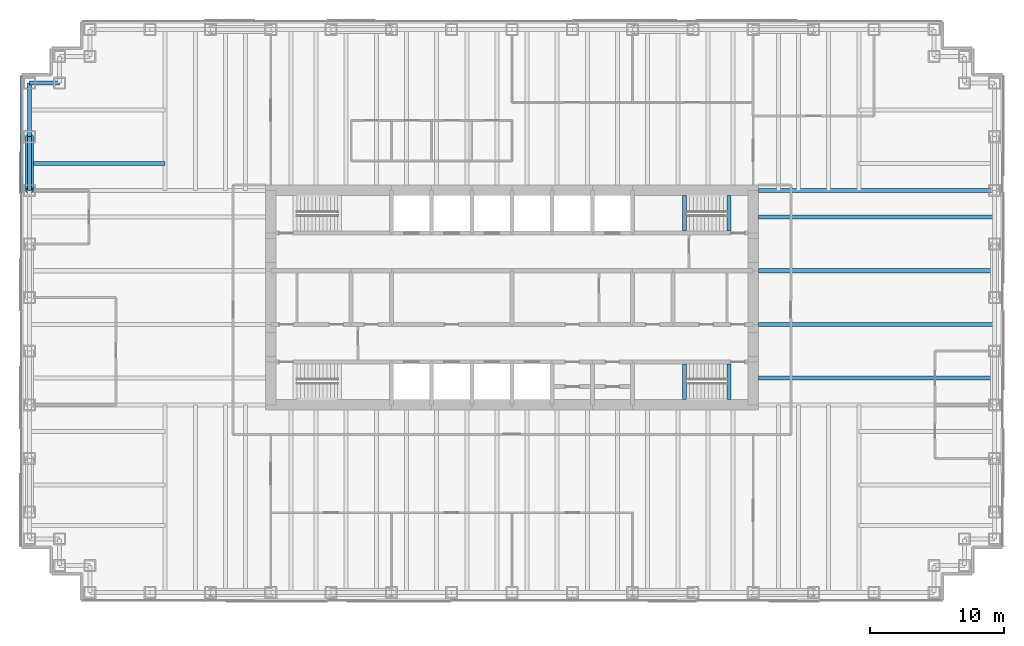
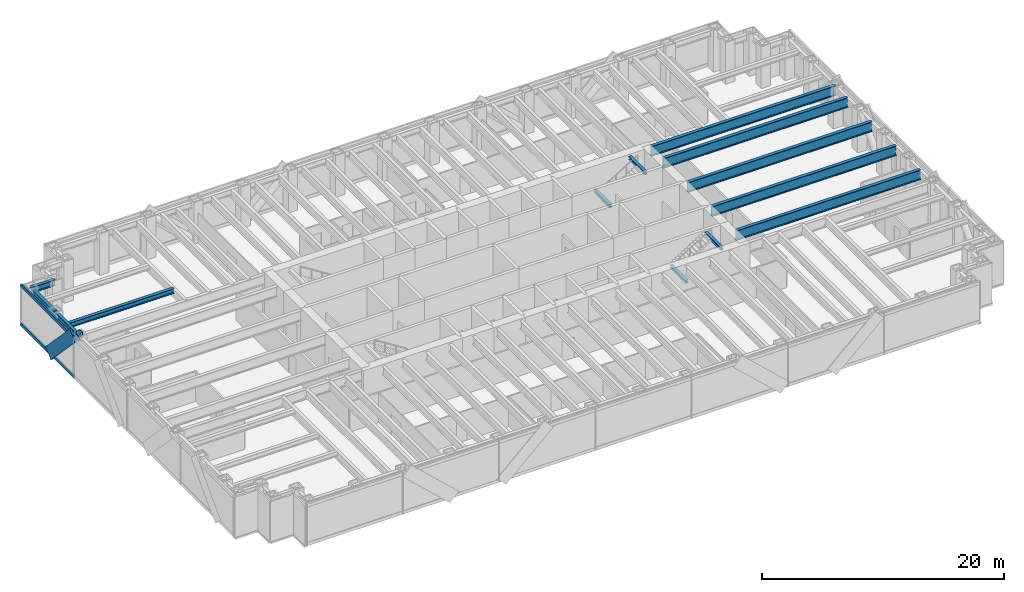
# One storey, part 4 of 14: 13 beams, 4 members, 1 element without a shape of its own.
"""IFC4 building model written with IfcOpenShell, lengths in metres."""

from ifc_helpers import new_model, si_unit, direction, frame, origin, origin_2d, place, context, subcontext, project, spatial, rectangle, hollow_circle, i_section, extrude, material, material_profile, profile_set, type_object, element, aggregate, save


model = new_model("IFC4")

# Units and contexts
model_context = context("Model", 3, precision=1e-05, world=origin(), true_north=direction((0.0, 1.0)))
body_context = subcontext(model_context, "Body", "Model", "MODEL_VIEW")
ifc_project = project(units=[si_unit("LENGTHUNIT", "METRE"), si_unit("AREAUNIT", "SQUARE_METRE"), si_unit("VOLUMEUNIT", "CUBIC_METRE"), si_unit("PLANEANGLEUNIT", "RADIAN"), si_unit("MASSUNIT", "GRAM", prefix="KILO")], contexts=[model_context])

# Site, building, storey
site_placement = place(None, origin())
site = spatial("IfcSite", under=ifc_project, at=site_placement, CompositionType="ELEMENT")
building_placement = place(site_placement, origin())
building = spatial("IfcBuilding", under=site, at=building_placement, Name="Rheinbord Bourse Tower", CompositionType="ELEMENT")
storey_placement = place(building_placement, frame((0.0, 0.0, 202.60009765625)))
storey = spatial("IfcBuildingStorey", under=building, at=storey_placement, Name="L45", CompositionType="ELEMENT", Elevation=202.60009765625)

# Curtain wall, members
ifc_material_1 = material(Name="Dark glass and black aluminium", Category="aluminium")
curtain_wall_type = type_object("IfcCurtainWallType", Name="CW2 DARK GLASS CURTAIN WALL", PredefinedType="USERDEFINED", material=ifc_material_1)
curtain_wall_placement = place(storey_placement, origin())
curtain_wall = element("IfcCurtainWall", 1, at=curtain_wall_placement, inside=storey, type_object=curtain_wall_type, Name="Curtain wall CW2 W L45", ObjectType="UNITISED CURTAIN WALL", PredefinedType="USERDEFINED")
ifc_material_2 = material(Name="Black anodised aluminium", Category="aluminium")
ifc_material_profile_1 = material_profile(ifc_material_2, rectangle(XDim=0.159912109375, YDim=1.2099609375, at=origin_2d()), Name="CW2 DIAGONAL MULLION 1210x160")
ifc_profile_set_1 = profile_set([ifc_material_profile_1], Name="Black anodised aluminium")
member_type_1 = type_object("IfcMemberType", Name="CW2 BLACK DIAGONAL MULLION", PredefinedType="USERDEFINED", material=ifc_profile_set_1)
member_1_placement = place(storey_placement, frame((-0.60009765625, 36.0, 0.0), z_axis=(0.0, -0.689659376744, 0.724133926887), x_axis=(1.0, 0.0, 0.0)))
member_1 = element("IfcMember", 2, at=member_1_placement, type_object=member_type_1, Name="CW2 diagonal mullion a", ObjectType="DIAGONAL MULLION", PredefinedType="USERDEFINED", context=body_context, shape_type="SweptSolid", body=[
    extrude(rectangle(XDim=0.159912109375, YDim=1.2099609375, at=origin_2d()), origin(), (0.0, 0.0, 1.0), 5.800048828125),
])
ifc_material_3 = material(Name="Black anodised aluminium", Category="aluminium")
ifc_material_profile_2 = material_profile(ifc_material_3, rectangle(XDim=0.159912109375, YDim=0.300048828125, at=origin_2d()), Name="CW2 TRANSOM 300x160")
ifc_profile_set_2 = profile_set([ifc_material_profile_2], Name="Black anodised aluminium")
member_type_2 = type_object("IfcMemberType", Name="CW2 BLACK TRANSOM", PredefinedType="USERDEFINED", material=ifc_profile_set_2)
member_2_placement = place(storey_placement, frame((-0.60009765625, 40.530029296875, 0.14990234375), z_axis=(0.0, -1.0, 0.0), x_axis=(1.0, 0.0, 0.0)))
member_2 = element("IfcMember", 3, at=member_2_placement, type_object=member_type_2, Name="CW2 transom 1.1", ObjectType="TRANSOM", PredefinedType="USERDEFINED", context=body_context, shape_type="SweptSolid", body=[
    extrude(rectangle(XDim=0.159912109375, YDim=0.300048828125, at=origin_2d()), origin(), (0.0, 0.0, 1.0), 8.695068359375),
])
member_3_placement = place(storey_placement, frame((-0.60009765625, 40.530029296875, 4.0498046875), z_axis=(0.0, -1.0, 0.0), x_axis=(1.0, 0.0, 0.0)))
member_3 = element("IfcMember", 4, at=member_3_placement, type_object=member_type_2, Name="CW2 transom 1.2", ObjectType="TRANSOM", PredefinedType="USERDEFINED", context=body_context, shape_type="SweptSolid", body=[
    extrude(rectangle(XDim=0.159912109375, YDim=0.300048828125, at=origin_2d()), origin(), (0.0, 0.0, 1.0), 8.695068359375),
])
aggregate(curtain_wall, [member_2, member_3, member_1])

# Beams
ifc_material_4 = material(Name="Steel S460", Category="steel")
ifc_material_profile_3 = material_profile(ifc_material_4, i_section(OverallWidth=0.302001953125, OverallDepth=1.008056640625, WebThickness=0.02099609375, FlangeThickness=0.0400390625, at=origin_2d()), Name="HEM 1000")
ifc_profile_set_3 = profile_set([ifc_material_profile_3], Name="Steel S460")
beam_type_1 = type_object("IfcBeamType", Name="END BEAM HEM 1000", PredefinedType="BEAM", material=ifc_profile_set_3)
for number, where, z_axis, x_axis, name in (
    (5, (54.39990234375, 18.0, 3.535888671875), (1.0, 0.0, 0.0), (0.0, 1.0, 0.0), "End beam east 18 L46"),
    (6, (54.39990234375, 22.0, 3.535888671875), (1.0, 0.0, 0.0), (0.0, 1.0, 0.0), "End beam east 22 L46"),
    (7, (54.39990234375, 26.0, 3.535888671875), (1.0, 0.0, 0.0), (0.0, 1.0, 0.0), "End beam east 26 L46"),
    (8, (54.39990234375, 30.0, 3.535888671875), (1.0, 0.0, 0.0), (0.0, 1.0, 0.0), "End beam east 30 L46"),
):
    element("IfcBeam", number, at=place(storey_placement, frame(where, z_axis=z_axis, x_axis=x_axis)), inside=storey, type_object=beam_type_1, Name=name, PredefinedType="BEAM", context=body_context, shape_type="SweptSolid", body=[
        extrude(i_section(OverallWidth=0.302001953125, OverallDepth=1.008056640625, WebThickness=0.02099609375, FlangeThickness=0.0400390625, at=origin_2d()), origin(), (0.0, 0.0, 1.0), 17.60009765625),
    ])
ifc_material_5 = material(Name="Steel S460", Category="steel")
ifc_material_profile_4 = material_profile(ifc_material_5, i_section(OverallWidth=0.302001953125, OverallDepth=1.008056640625, WebThickness=0.02099609375, FlangeThickness=0.0400390625, at=origin_2d()), Name="HEM 1000")
ifc_profile_set_4 = profile_set([ifc_material_profile_4], Name="Steel S460")
beam_type_2 = type_object("IfcBeamType", Name="GIRDER HEM 1000", PredefinedType="BEAM", material=ifc_profile_set_4)
beam_1_placement = place(storey_placement, frame((54.39990234375, 32.0, 3.535888671875), z_axis=(1.0, 0.0, 0.0), x_axis=(0.0, 1.0, 0.0)))
element("IfcBeam", 9, at=beam_1_placement, inside=storey, type_object=beam_type_2, Name="Girder east 32 L46", PredefinedType="BEAM", context=body_context, shape_type="SweptSolid", body=[
    extrude(i_section(OverallWidth=0.302001953125, OverallDepth=1.008056640625, WebThickness=0.02099609375, FlangeThickness=0.0400390625, at=origin_2d()), origin(), (0.0, 0.0, 1.0), 17.60009765625),
])
ifc_material_6 = material(Name="Steel S460", Category="steel")
ifc_material_profile_5 = material_profile(ifc_material_6, i_section(OverallWidth=0.300048828125, OverallDepth=0.300048828125, WebThickness=0.010986328125, FlangeThickness=0.01904296875, at=origin_2d()), Name="HEB 300")
ifc_profile_set_5 = profile_set([ifc_material_profile_5], Name="Steel S460")
beam_type_3 = type_object("IfcBeamType", Name="LANDING TRIMMER HEB 300", PredefinedType="BEAM", material=ifc_profile_set_5)
for number, where, z_axis, x_axis, name in (
    (10, (48.8701171875, 16.39990234375, 1.75), (0.0, 1.0, 0.0), (-1.0, 0.0, 0.0), "Landing trimmer ST3 L45"),
    (11, (52.199951171875, 16.39990234375, 3.889892578125), (0.0, 1.0, 0.0), (-1.0, 0.0, 0.0), "Well trimmer ST3 under L46"),
    (12, (48.8701171875, 28.949951171875, 1.75), (0.0, 1.0, 0.0), (-1.0, 0.0, 0.0), "Landing trimmer ST4 L45"),
    (13, (52.199951171875, 28.949951171875, 3.889892578125), (0.0, 1.0, 0.0), (-1.0, 0.0, 0.0), "Well trimmer ST4 under L46"),
):
    element("IfcBeam", number, at=place(storey_placement, frame(where, z_axis=z_axis, x_axis=x_axis)), inside=storey, type_object=beam_type_3, Name=name, PredefinedType="BEAM", context=body_context, shape_type="SweptSolid", body=[
        extrude(i_section(OverallWidth=0.300048828125, OverallDepth=0.300048828125, WebThickness=0.010986328125, FlangeThickness=0.01904296875, at=origin_2d()), origin(), (0.0, 0.0, 1.0), 2.650146484375),
    ])

# Member
ifc_material_7 = material(Name="Steel S460", Category="steel")
ifc_material_profile_6 = material_profile(ifc_material_7, hollow_circle(Radius=0.304931640625, WallThickness=0.0400390625, at=origin_2d()), Name="CHS 610x40")
ifc_profile_set_6 = profile_set([ifc_material_profile_6], Name="Steel S460")
member_type_3 = type_object("IfcMemberType", Name="MEGABRACE CHS 610x40", PredefinedType="BRACE", material=ifc_profile_set_6)
member_4_placement = place(storey_placement, frame((0.0, 36.0, 0.0), z_axis=(0.0, -0.689659376744, 0.724133926887), x_axis=(1.0, 0.0, 0.0)))
element("IfcMember", 14, at=member_4_placement, inside=storey, type_object=member_type_3, Name="Megabrace W face line a L45", PredefinedType="BRACE", context=body_context, shape_type="SweptSolid", body=[
    extrude(hollow_circle(Radius=0.304931640625, WallThickness=0.0400390625, at=origin_2d()), origin(), (0.0, 0.0, 1.0), 5.800048828125),
])

# Beams
ifc_material_8 = material(Name="Steel S460", Category="steel")
ifc_material_profile_7 = material_profile(ifc_material_8, i_section(OverallWidth=0.300048828125, OverallDepth=0.60009765625, WebThickness=0.015380859375, FlangeThickness=0.030029296875, at=origin_2d()), Name="HEB 600")
ifc_profile_set_7 = profile_set([ifc_material_profile_7], Name="Steel S460")
beam_type_4 = type_object("IfcBeamType", Name="SPANDREL HEB 600", PredefinedType="SPANDREL", material=ifc_profile_set_7)
beam_2_placement = place(storey_placement, frame((2.25, 40.0, 3.739990234375), z_axis=(-1.0, 0.0, 0.0), x_axis=(0.0, -1.0, 0.0)))
element("IfcBeam", 15, at=beam_2_placement, inside=storey, type_object=beam_type_4, Name="Spandrel NW-B-NW-A under L46", PredefinedType="SPANDREL", context=body_context, shape_type="SweptSolid", body=[
    extrude(i_section(OverallWidth=0.300048828125, OverallDepth=0.60009765625, WebThickness=0.015380859375, FlangeThickness=0.030029296875, at=origin_2d()), origin(), (0.0, 0.0, 1.0), 2.25),
])
for number, where, z_axis, x_axis, name in (
    (16, (0.0, 40.0, 3.739990234375), (0.0, -1.0, 0.0), (1.0, 0.0, 0.0), "Spandrel NW-A-W-36 under L46"),
    (17, (0.0, 36.0, 3.739990234375), (0.0, -1.0, 0.0), (1.0, 0.0, 0.0), "Spandrel W-36-W-32 under L46"),
):
    element("IfcBeam", number, at=place(storey_placement, frame(where, z_axis=z_axis, x_axis=x_axis)), inside=storey, type_object=beam_type_4, Name=name, PredefinedType="SPANDREL", context=body_context, shape_type="SweptSolid", body=[
        extrude(i_section(OverallWidth=0.300048828125, OverallDepth=0.60009765625, WebThickness=0.015380859375, FlangeThickness=0.030029296875, at=origin_2d()), origin(), (0.0, 0.0, 1.0), 4.0),
    ])
ifc_material_9 = material(Name="Steel S460", Category="steel")
ifc_material_profile_8 = material_profile(ifc_material_9, i_section(OverallWidth=0.300048828125, OverallDepth=0.5, WebThickness=0.014404296875, FlangeThickness=0.028076171875, at=origin_2d()), Name="HEB 500")
ifc_profile_set_8 = profile_set([ifc_material_profile_8], Name="Steel S460")
beam_type_5 = type_object("IfcBeamType", Name="TIE BEAM HEB 500", PredefinedType="JOIST", material=ifc_profile_set_8)
beam_3_placement = place(storey_placement, frame((0.0, 34.0, 3.789794921875), z_axis=(1.0, 0.0, 0.0), x_axis=(0.0, 1.0, 0.0)))
element("IfcBeam", 18, at=beam_3_placement, inside=storey, type_object=beam_type_5, Name="Tie west 34 L46", PredefinedType="JOIST", context=body_context, shape_type="SweptSolid", body=[
    extrude(i_section(OverallWidth=0.300048828125, OverallDepth=0.5, WebThickness=0.014404296875, FlangeThickness=0.028076171875, at=origin_2d()), origin(), (0.0, 0.0, 1.0), 10.125),
])

save(model, "model.ifc")
